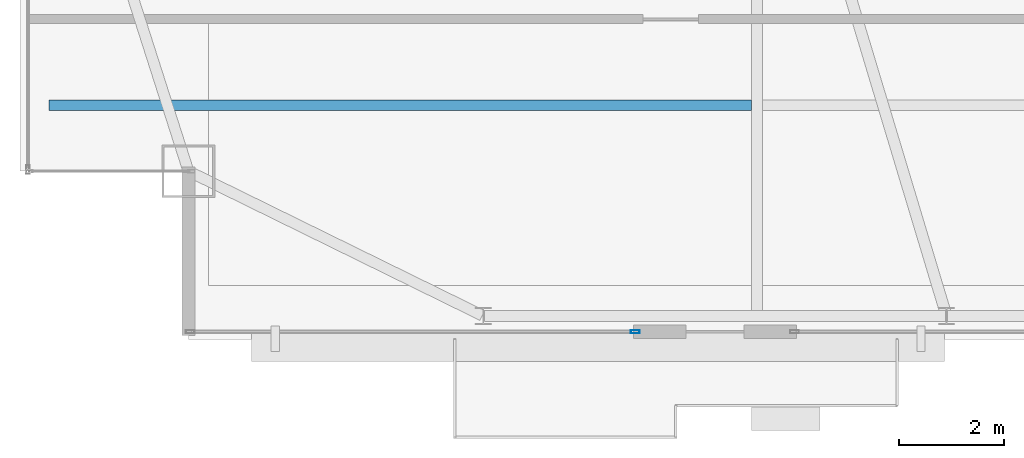
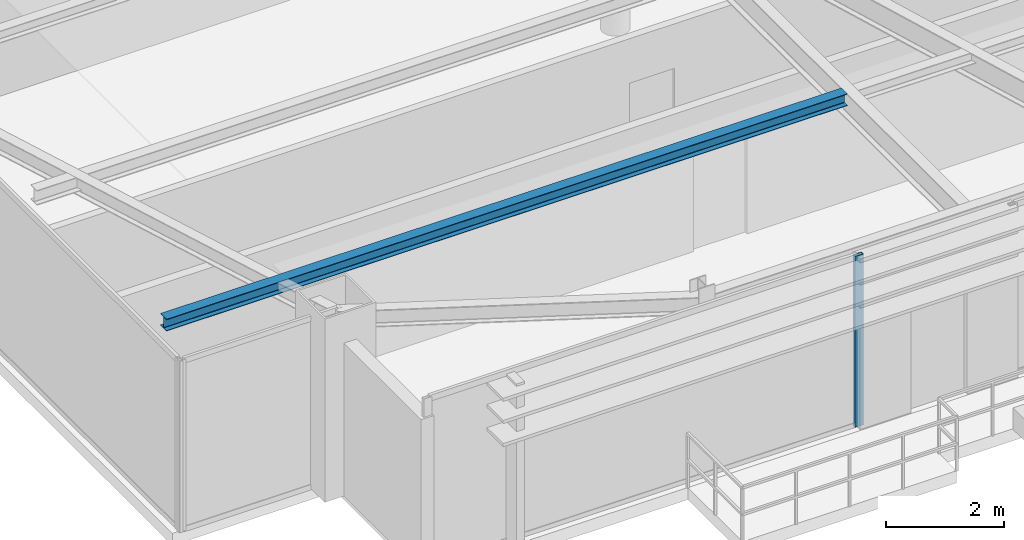
# One storey, part 4 of 23: 1 beam, 1 member, 1 element without a shape of its own.
"""IFC4 building model written with IfcOpenShell, lengths in metres."""

from ifc_helpers import new_model, si_unit, direction, frame, origin, origin_2d, place, context, subcontext, project, spatial, hollow_rectangle, i_section, extrude, source, transform, mapped, material, layer, layer_set, material_profile, profile_set, type_object, type_shapes, element, aggregate, save


model = new_model("IFC4")

# Units and contexts
model_context = context("Model", 3, precision=1e-05, world=origin(), true_north=direction((0.0, 1.0)))
body_context = subcontext(model_context, "Body", "Model", "MODEL_VIEW")
ifc_project = project(units=[si_unit("LENGTHUNIT", "METRE"), si_unit("AREAUNIT", "SQUARE_METRE"), si_unit("VOLUMEUNIT", "CUBIC_METRE"), si_unit("PLANEANGLEUNIT", "RADIAN"), si_unit("MASSUNIT", "GRAM", prefix="KILO")], contexts=[model_context])

# Site, building, storey
site_placement = place(None, origin())
site = spatial("IfcSite", under=ifc_project, at=site_placement, CompositionType="ELEMENT")
building_placement = place(site_placement, origin())
building = spatial("IfcBuilding", under=site, at=building_placement, Name="Varnel Quay Broadcast Tower", CompositionType="ELEMENT")
storey_placement = place(building_placement, frame((0.0, 0.0, 266.0)))
storey = spatial("IfcBuildingStorey", under=building, at=storey_placement, Name="L66", CompositionType="ELEMENT", Elevation=266.0)

# Beam
ifc_material_1 = material(Name="Structural Steel CSA G40.21 350W", Category="steel")
ifc_material_profile_1 = material_profile(ifc_material_1, i_section(OverallWidth=0.201904296875, OverallDepth=0.2470703125, WebThickness=0.00732421875, FlangeThickness=0.010986328125, FilletRadius=0.010986328125, at=origin_2d()), Name="W250X49")
ifc_profile_set_1 = profile_set([ifc_material_profile_1], Name="Structural Steel CSA G40.21 350W")
beam_type = type_object("IfcBeamType", Name="Beam_W250X49", PredefinedType="JOIST", material=ifc_profile_set_1)
shared_shape_1 = source(origin(), body_context, "Body", "SweptSolid", [
    extrude(i_section(OverallWidth=0.201904296875, OverallDepth=0.2470703125, WebThickness=0.00732421875, FlangeThickness=0.010986328125, FilletRadius=0.010986328125, at=origin_2d()), origin(), (0.0, 0.0, 1.0), 13.351318359375),
])
type_shapes(beam_type, [shared_shape_1])
beam_placement = place(storey_placement, frame((12.547607421875, 17.64990234375, 3.426513671875), z_axis=(1.0, 0.0, 0.0), x_axis=(0.0, 1.0, 0.0)))
element("IfcBeam", 1, at=beam_placement, inside=storey, type_object=beam_type, Name="L66 West Floor Joist 1", PredefinedType="JOIST", context=body_context, shape_type="MappedRepresentation", body=[
    mapped(shared_shape_1, transform((0.0, 0.0, 0.0), x_axis=(1.0, 0.0, 0.0), y_axis=(0.0, 1.0, 0.0), z_axis=(0.0, 0.0, 1.0), scale=1.0)),
])

# Curtain wall, member
ifc_material_2 = material(Name="Anodised Bronze Aluminium 6063-T6", Category="aluminium")
ifc_layer = layer(ifc_material_2, 0.18994140625, Name="Anodised Bronze Aluminium 6063-T6")
ifc_layer_set = layer_set([ifc_layer], Name="Anodised Bronze Aluminium 6063-T6")
curtain_wall_type = type_object("IfcCurtainWallType", Name="CW_UpperTower", PredefinedType="NOTDEFINED", material=ifc_layer_set)
curtain_wall_placement = place(storey_placement, origin())
curtain_wall = element("IfcCurtainWall", 2, at=curtain_wall_placement, inside=storey, type_object=curtain_wall_type, Name="L66 South Unitised Curtain Wall 1", PredefinedType="NOTDEFINED")
ifc_material_profile_2 = material_profile(ifc_material_2, hollow_rectangle(XDim=0.06494140625, YDim=0.1650390625, WallThickness=0.00341796875, at=origin_2d()), Name="ALU65X165X3.5")
ifc_profile_set_2 = profile_set([ifc_material_profile_2], Name="Anodised Bronze Aluminium 6063-T6")
member_type = type_object("IfcMemberType", Name="Mull_CWS-03", PredefinedType="MULLION", material=ifc_profile_set_2)
shared_shape_2 = source(origin(), body_context, "Body", "SweptSolid", [
    extrude(hollow_rectangle(XDim=0.06494140625, YDim=0.1650390625, WallThickness=0.00341796875, at=origin_2d()), origin(), (0.0, 0.0, 1.0), 3.550048828125),
])
type_shapes(member_type, [shared_shape_2])
member_placement = place(storey_placement, frame((23.6875, 13.35009765625, 0.0), z_axis=(0.0, 0.0, 1.0), x_axis=(0.0, 1.0, 0.0)))
member = element("IfcMember", 3, at=member_placement, type_object=member_type, Name="CWS-03 mullion 2", PredefinedType="MULLION", context=body_context, shape_type="MappedRepresentation", body=[
    mapped(shared_shape_2, transform((0.0, 0.0, 0.0), x_axis=(1.0, 0.0, 0.0), y_axis=(0.0, 1.0, 0.0), z_axis=(0.0, 0.0, 1.0), scale=1.0)),
])
aggregate(curtain_wall, [member])

save(model, "model.ifc")
